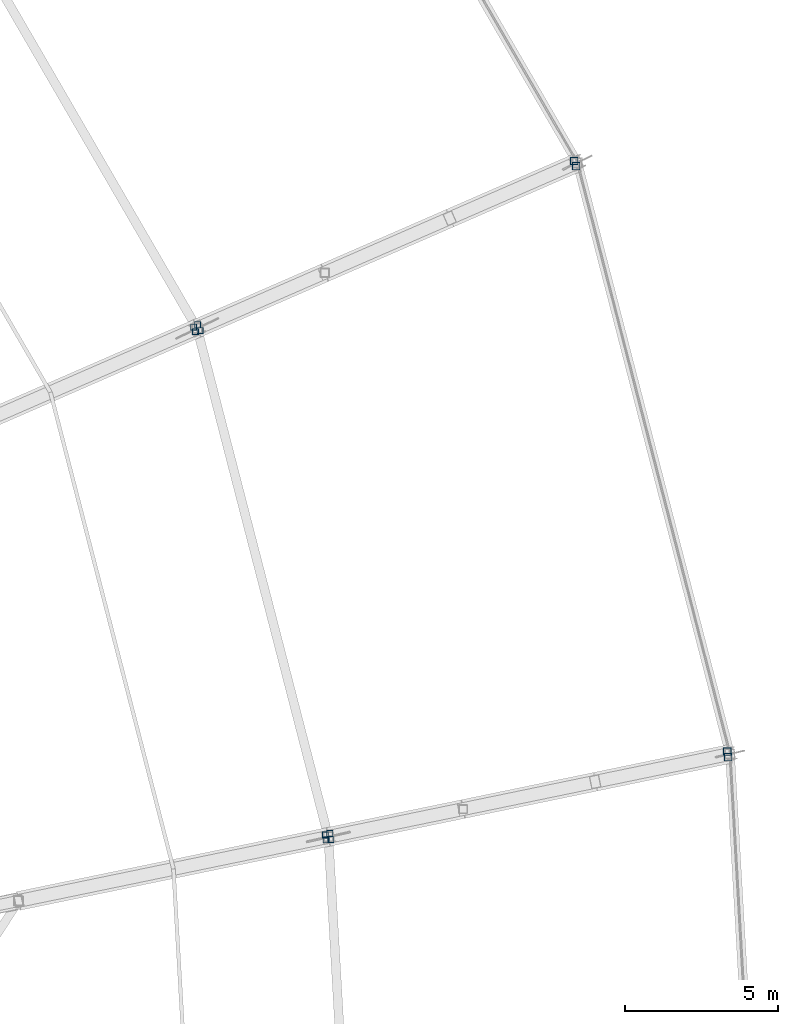
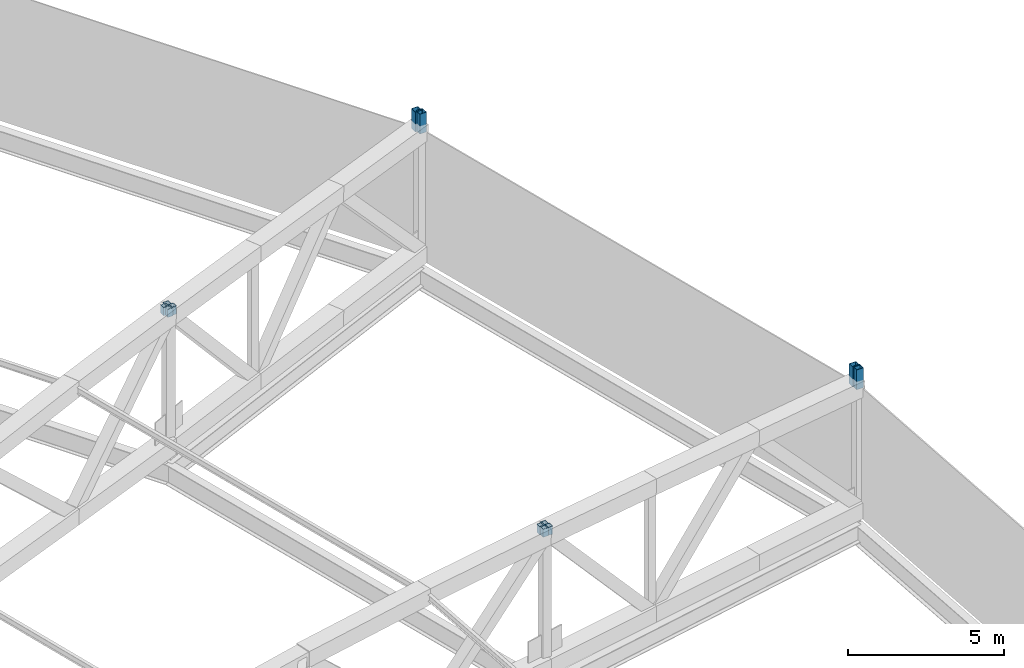
# One storey, part 124 of 162: 12 members.
"""IFC4 building model written with IfcOpenShell, lengths in metres."""

from ifc_helpers import new_model, si_unit, direction, frame, origin, origin_2d, place, context, subcontext, project, spatial, hollow_rectangle, extrude, material, material_profile, profile_set, type_object, element, save


model = new_model("IFC4")

# Units and contexts
model_context = context("Model", 3, precision=1e-05, world=origin(), true_north=direction((0.0, 1.0)))
body_context = subcontext(model_context, "Body", "Model", "MODEL_VIEW")
ifc_project = project(units=[si_unit("LENGTHUNIT", "METRE"), si_unit("AREAUNIT", "SQUARE_METRE"), si_unit("VOLUMEUNIT", "CUBIC_METRE"), si_unit("PLANEANGLEUNIT", "RADIAN"), si_unit("MASSUNIT", "GRAM", prefix="KILO")], contexts=[model_context])

# Site, building, storey
site_placement = place(None, origin())
site = spatial("IfcSite", under=ifc_project, at=site_placement, CompositionType="ELEMENT")
building_placement = place(site_placement, origin())
building = spatial("IfcBuilding", under=site, at=building_placement, Name="Kazemori Nagisa Stadium", CompositionType="ELEMENT")
storey_placement = place(building_placement, frame((0.0, 0.0, 36.719970703125)))
storey = spatial("IfcBuildingStorey", under=building, at=storey_placement, Name="RF", CompositionType="ELEMENT", Elevation=36.719970703125)

# Members
ifc_material = material(Name="Steel STKR490", Category="steel")
ifc_material_profile_1 = material_profile(ifc_material, hollow_rectangle(XDim=0.25, YDim=0.25, WallThickness=0.011962890625, at=origin_2d()), Name="SHS-250x250x12")
ifc_profile_set_1 = profile_set([ifc_material_profile_1], Name="Steel STKR490")
member_type_1 = type_object("IfcMemberType", Name="Member_ST-SHS250", PredefinedType="STUD", material=ifc_profile_set_1)
for number, where, z_axis, x_axis, name in (
    (1, (216.8203125, 121.2939453125, 5.10009765625), (0.0, 0.0, 1.0), (1.0, 0.0, 0.0), "Canopy bearing stool B01-outer-2"),
    (2, (216.789794921875, 121.475830078125, 5.10009765625), (0.0, 0.0, 1.0), (1.0, 0.0, 0.0), "Canopy bearing stool B02-outer-1"),
    (3, (211.846923828125, 140.6357421875, 5.10009765625), (0.0, 0.0, 1.0), (1.0, 0.0, 0.0), "Canopy bearing stool B02-outer-2"),
    (4, (211.778076171875, 140.803955078125, 5.10009765625), (0.0, 0.0, 1.0), (1.0, 0.0, 0.0), "Canopy bearing stool B03-outer-1"),
):
    element("IfcMember", number, at=place(storey_placement, frame(where, z_axis=z_axis, x_axis=x_axis)), inside=storey, type_object=member_type_1, Name=name, PredefinedType="STUD", context=body_context, shape_type="SweptSolid", body=[
        extrude(hollow_rectangle(XDim=0.25, YDim=0.25, WallThickness=0.011962890625, at=origin_2d()), origin(), (0.0, 0.0, 1.0), 0.77490234375),
    ])
ifc_material_profile_2 = material_profile(ifc_material, hollow_rectangle(XDim=0.199951171875, YDim=0.199951171875, WallThickness=0.009033203125, at=origin_2d()), Name="SHS-200x200x9")
ifc_profile_set_2 = profile_set([ifc_material_profile_2], Name="Steel STKR490")
member_type_2 = type_object("IfcMemberType", Name="Member_TS-SHS200", PredefinedType="STRUT", material=ifc_profile_set_2)
for number, where, z_axis, x_axis, name in (
    (5, (203.819091796875, 118.593994140625, 5.56005859375), (0.0, 0.0, 1.0), (1.0, 0.0, 0.0), "Canopy bearing stool B01-outer-3"),
    (6, (203.663330078125, 118.587646484375, 5.56005859375), (0.0, 0.0, 1.0), (1.0, 0.0, 0.0), "Canopy bearing stool B01-mid-2"),
    (7, (199.53759765625, 135.25341796875, 5.56005859375), (0.0, 0.0, 1.0), (1.0, 0.0, 0.0), "Canopy bearing stool B02-outer-3"),
    (8, (203.782958984375, 118.79296875, 5.56005859375), (0.0, 0.0, 1.0), (1.0, 0.0, 0.0), "Canopy bearing stool B02-outer-4"),
    (9, (203.6357421875, 118.74560546875, 5.56005859375), (0.0, 0.0, 1.0), (1.0, 0.0, 0.0), "Canopy bearing stool B02-mid-1"),
    (10, (199.387939453125, 135.217041015625, 5.56005859375), (0.0, 0.0, 1.0), (1.0, 0.0, 0.0), "Canopy bearing stool B02-mid-2"),
    (11, (199.4560546875, 135.443603515625, 5.56005859375), (0.0, 0.0, 1.0), (1.0, 0.0, 0.0), "Canopy bearing stool B03-outer-4"),
    (12, (199.327392578125, 135.36328125, 5.56005859375), (0.0, 0.0, 1.0), (1.0, 0.0, 0.0), "Canopy bearing stool B03-mid-1"),
):
    element("IfcMember", number, at=place(storey_placement, frame(where, z_axis=z_axis, x_axis=x_axis)), inside=storey, type_object=member_type_2, Name=name, PredefinedType="STRUT", context=body_context, shape_type="SweptSolid", body=[
        extrude(hollow_rectangle(XDim=0.199951171875, YDim=0.199951171875, WallThickness=0.009033203125, at=origin_2d()), origin(), (0.0, 0.0, 1.0), 0.31494140625),
    ])

save(model, "model.ifc")
